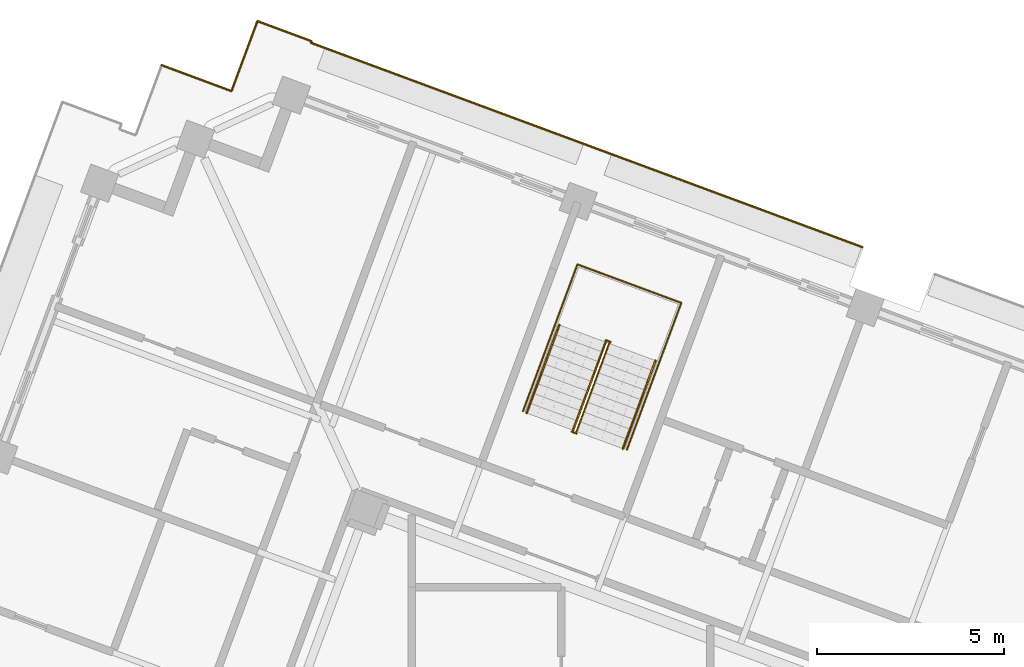
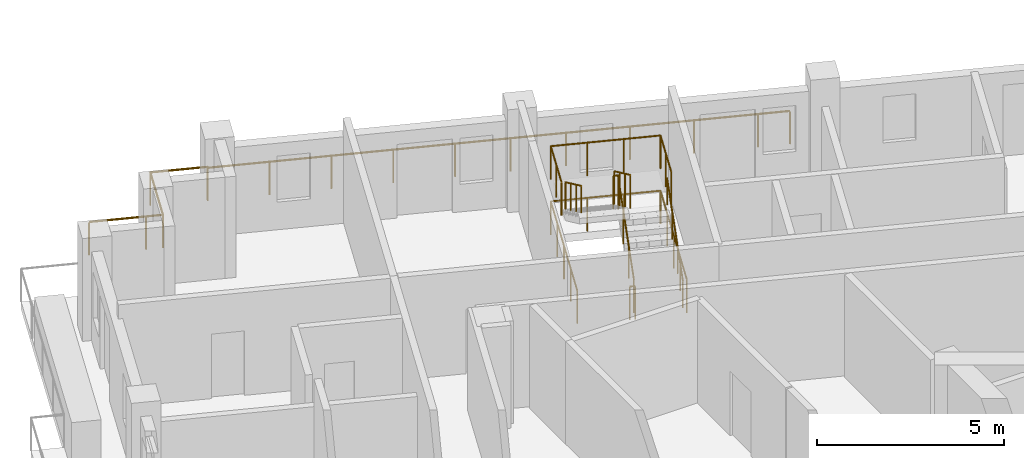
# One storey, part 17 of 19: 8 railings.
"""IFC4 building model written with IfcOpenShell, lengths in metres."""

import ifcopenshell
import ifcopenshell.guid

model = None  # the IFC model being written
_history = None  # IfcOwnerHistory: only IFC2X3 demands one
_inside = {}  # id of a spatial element -> (the spatial element, [elements in it])
_under = {}  # id of a project, library or spatial element -> (it, [spatial elements below it])
_declared = {}  # id of a project -> (the project, [libraries it declares])
_typed = {}  # id of a type object -> (the type object, [elements of that type])
_made_of = {}  # id of a material, layer set ... -> (it, [elements and type objects made of it])


def new_model(schema):
    """Start an empty IFC model of exactly this schema.

    Asked for "IFC4X3", IfcOpenShell would pick the latest addendum, in which some entities
    have other attributes; the version numbers below select the first issue.
    IFC2X3 requires an IfcOwnerHistory on every rooted entity: one is made here for all.
    """
    global model, _history
    if schema == "IFC4X3":
        model = ifcopenshell.file(schema_version=(4, 3, 0, 0))
    else:
        model = ifcopenshell.file(schema=schema)
    _inside.clear()
    _under.clear()
    _declared.clear()
    _typed.clear()
    _made_of.clear()
    _history = None
    if model.schema == "IFC2X3":
        org = make("IfcOrganization", Name="unknown")
        user = make(
            "IfcPersonAndOrganization",
            ThePerson=make("IfcPerson", FamilyName="unknown"),
            TheOrganization=org,
        )
        app = make(
            "IfcApplication",
            ApplicationDeveloper=org,
            Version="unknown",
            ApplicationFullName="unknown",
            ApplicationIdentifier="unknown",
        )
        _history = make(
            "IfcOwnerHistory",
            OwningUser=user,
            OwningApplication=app,
            ChangeAction="ADDED",
            CreationDate=0,
        )
    return model


def make(cls, **values):
    """One entity of the class cls with the attributes given. An attribute that is None is left unset."""
    return model.create_entity(
        cls, **{name: value for name, value in values.items() if value is not None}
    )


def rooted(cls, **values):
    """An entity with a GlobalId (a new one), such as an element, a storey or a relation."""
    return make(cls, GlobalId=ifcopenshell.guid.new(), OwnerHistory=_history, **values)


def si_unit(unit_type, name, prefix=None):
    """IfcSIUnit, for example si_unit("LENGTHUNIT", "METRE", prefix="MILLI")."""
    return make("IfcSIUnit", UnitType=unit_type, Prefix=prefix, Name=name)


def assignment(units):
    """IfcUnitAssignment: the units of a project."""
    return None if units is None else make("IfcUnitAssignment", Units=units)


def point(xyz):
    """IfcCartesianPoint."""
    return None if xyz is None else make("IfcCartesianPoint", Coordinates=xyz)


def direction(xyz):
    """IfcDirection."""
    return None if xyz is None else make("IfcDirection", DirectionRatios=xyz)


def frame(location, z_axis=None, x_axis=None):
    """IfcAxis2Placement3D, a coordinate frame: its origin and axes. An axis left out is left unset."""
    return make(
        "IfcAxis2Placement3D",
        Location=point(location),
        Axis=direction(z_axis),
        RefDirection=direction(x_axis),
    )


def frame_2d(location, x_axis=None):
    """IfcAxis2Placement2D, a coordinate frame in the plane: its origin and x axis."""
    return make(
        "IfcAxis2Placement2D", Location=point(location), RefDirection=direction(x_axis)
    )


def origin():
    """The frame at (0, 0, 0) with its axes left unset."""
    return frame((0.0, 0.0, 0.0))


def origin_2d():
    """The frame at (0, 0) in the plane with its x axis left unset."""
    return frame_2d((0.0, 0.0))


def place(relative_to, where):
    """IfcLocalPlacement: puts the frame where relative to a parent placement (None: the world)."""
    return make(
        "IfcLocalPlacement", PlacementRelTo=relative_to, RelativePlacement=where
    )


def context(
    kind, dimensions, precision=None, world=None, true_north=None, identifier=None
):
    """IfcGeometricRepresentationContext, for example the 3D "Model" context."""
    return make(
        "IfcGeometricRepresentationContext",
        ContextIdentifier=identifier,
        ContextType=kind,
        CoordinateSpaceDimension=dimensions,
        Precision=precision,
        WorldCoordinateSystem=world,
        TrueNorth=true_north,
    )


def subcontext(parent, identifier, kind, view, scale=None):
    """IfcGeometricRepresentationSubContext, for example "Body" below "Model"."""
    return make(
        "IfcGeometricRepresentationSubContext",
        ContextIdentifier=identifier,
        ContextType=kind,
        ParentContext=parent,
        TargetScale=scale,
        TargetView=view,
    )


def project(units=None, contexts=None):
    """IfcProject with its units and contexts."""
    return rooted(
        "IfcProject",
        Name="project",
        RepresentationContexts=contexts,
        UnitsInContext=assignment(units),
    )


def spatial(cls, under=None, at=None, **own):
    """A site, building, storey or space (cls), placed at a placement, below another one or the project."""
    s = rooted(cls, ObjectPlacement=at, **own)
    if under is not None:
        _under.setdefault(under.id(), (under, []))[1].append(s)
    return s


def profile(cls, at=None, kind="AREA", **sizes):
    """A parametric profile (cls). Its sizes go by their IFC names, for example OverallWidth=200.0."""
    return make(cls, ProfileType=kind, Position=at, **sizes)


def circle(**sizes):
    """IfcCircleProfileDef."""
    return profile("IfcCircleProfileDef", **sizes)


def extrude(swept, where, along, depth):
    """IfcExtrudedAreaSolid: the profile swept, set in the frame where, extruded along a direction by depth."""
    return make(
        "IfcExtrudedAreaSolid",
        SweptArea=swept,
        Position=where,
        ExtrudedDirection=direction(along),
        Depth=depth,
    )


def shape(context_of_items, identifier, shape_type, items):
    """IfcShapeRepresentation: the items that make up one representation, for example the "Body"."""
    return make(
        "IfcShapeRepresentation",
        ContextOfItems=context_of_items,
        RepresentationIdentifier=identifier,
        RepresentationType=shape_type,
        Items=items,
    )


def material(Name=None, Category=None):
    """IfcMaterial."""
    return make("IfcMaterial", Name=Name, Category=Category)


def made_of(thing, what):
    """Note that an element or type object is made of a material, layer set ...; save() writes the relation."""
    if what is not None:
        _made_of.setdefault(what.id(), (what, []))[1].append(thing)
    return thing


def type_object(cls, material=None, **own):
    """A type object (cls), such as IfcWallType, which elements share."""
    return made_of(rooted(cls, **own), material)


def element(
    cls,
    number,
    at=None,
    inside=None,
    cuts=None,
    type_object=None,
    material=None,
    context=None,
    identifier="Body",
    shape_type=None,
    held_by="IfcProductDefinitionShape",
    body=None,
    shapes=None,
    **own,
):
    """One element of the class cls, such as IfcWall. Its Tag is "e" and its number.

    at: its placement. inside: the storey or other place that contains it. cuts: it is an
    opening in that element (IfcRelVoidsElement). A single representation is given by context,
    identifier, shape_type and body (its items); several are given by shapes. held_by: the class
    of the entity that holds the representations. save() writes the other relations.
    """
    e = rooted(cls, Tag="e%d" % number, ObjectPlacement=at, **own)
    if body is not None:
        shapes = [shape(context, identifier, shape_type, body)]
    if shapes is not None:
        e.Representation = make(held_by, Representations=shapes)
    if inside is not None:
        _inside.setdefault(inside.id(), (inside, []))[1].append(e)
    if cuts is not None:
        rooted(
            "IfcRelVoidsElement", RelatingBuildingElement=cuts, RelatedOpeningElement=e
        )
    if type_object is not None:
        _typed.setdefault(type_object.id(), (type_object, []))[1].append(e)
    return made_of(e, material)


def aggregate(whole, parts):
    """IfcRelAggregates: a whole, such as a stair, and the parts it consists of."""
    return rooted("IfcRelAggregates", RelatingObject=whole, RelatedObjects=parts)


def save(model, path):
    """Write the relations noted so far, then the file.

    IfcRelAggregates (storeys below a building ...), IfcRelContainedInSpatialStructure (elements
    in a storey), IfcRelDefinesByType, IfcRelAssociatesMaterial and IfcRelDeclares: one each for
    every whole, place, type object, material and project.
    """
    for whole, parts in _under.values():
        aggregate(whole, parts)
    for where, things in _inside.values():
        rooted(
            "IfcRelContainedInSpatialStructure",
            RelatedElements=things,
            RelatingStructure=where,
        )
    for kind, things in _typed.values():
        rooted("IfcRelDefinesByType", RelatedObjects=things, RelatingType=kind)
    for what, things in _made_of.values():
        rooted("IfcRelAssociatesMaterial", RelatedObjects=things, RelatingMaterial=what)
    for by, libraries in _declared.values():
        rooted("IfcRelDeclares", RelatingContext=by, RelatedDefinitions=libraries)
    model.write(path)


model = new_model("IFC4")

# Units and contexts
model_context = context("Model", 3, precision=1e-05, world=origin(), true_north=direction((0.0, 1.0)))
body_context = subcontext(model_context, "Body", "Model", "MODEL_VIEW")
ifc_project = project(units=[si_unit("LENGTHUNIT", "METRE"), si_unit("AREAUNIT", "SQUARE_METRE"), si_unit("VOLUMEUNIT", "CUBIC_METRE"), si_unit("PLANEANGLEUNIT", "RADIAN"), si_unit("MASSUNIT", "GRAM", prefix="KILO")], contexts=[model_context])

# Site, building, storey
site_placement = place(None, origin())
site = spatial("IfcSite", under=ifc_project, at=site_placement, CompositionType="ELEMENT")
building_placement = place(site_placement, origin())
building = spatial("IfcBuilding", under=site, at=building_placement, Name="Cantera Rosa Tower", CompositionType="ELEMENT")
storey_placement = place(building_placement, frame((0.0, 0.0, 334.89990234375)))
storey = spatial("IfcBuildingStorey", under=building, at=storey_placement, Name="L75", CompositionType="ELEMENT", Elevation=334.89990234375)

# Railings
ifc_material_1 = material(Name="Stainless steel and laminated glass", Category="steel")
railing_type_1 = type_object("IfcRailingType", Name="GUARD 1100", PredefinedType="BALUSTRADE", material=ifc_material_1)
railing_1_placement = place(storey_placement, frame((-10.71240234375, 28.49365234375, 0.0)))
element("IfcRailing", 1, at=railing_1_placement, inside=storey, type_object=railing_type_1, Name="GUARD L75-5", PredefinedType="BALUSTRADE", context=body_context, shape_type="SweptSolid", body=[
    extrude(circle(Radius=0.030029296875, at=origin_2d()), frame((0.0, 0.0, 1.070068359375), z_axis=(0.937691592306, -0.347468671564, 0.0), x_axis=(0.347468671564, 0.937691592306, 0.0)), (0.0, 0.0, 1.0), 1.5458984375),
    extrude(circle(Radius=0.030029296875, at=origin_2d()), frame((1.449462890625, -0.537109375, 1.070068359375), z_axis=(0.937625552155, -0.347646837962, 0.0), x_axis=(0.347646837962, 0.937625552155, 0.0)), (0.0, 0.0, 1.0), 0.454345703125),
    extrude(circle(Radius=0.030029296875, at=origin_2d()), frame((1.87548828125, -0.695068359375, 1.070068359375), z_axis=(0.347401818267, 0.937716362588, 0.0), x_axis=(-0.937716362588, 0.347401818267, 0.0)), (0.0, 0.0, 1.0), 2.0),
    extrude(circle(Radius=0.030029296875, at=origin_2d()), frame((2.5703125, 1.180419921875, 1.070068359375), z_axis=(0.937710656911, -0.347417218795, 0.0), x_axis=(0.347417218795, 0.937710656911, 0.0)), (0.0, 0.0, 1.0), 1.5458984375),
    extrude(circle(Radius=0.030029296875, at=origin_2d()), frame((4.02001953125, 0.643310546875, 1.070068359375), z_axis=(-0.351123441588, -0.936329177569, 0.0), x_axis=(0.936329177569, -0.351123441588, 0.0)), (0.0, 0.0, 1.0), 0.0458984375),
    extrude(circle(Radius=0.030029296875, at=origin_2d()), frame((4.00390625, 0.600341796875, 1.070068359375), z_axis=(0.937686328856, -0.347482875373, 0.0), x_axis=(0.347482875373, 0.937686328856, 0.0)), (0.0, 0.0, 1.0), 6.699951171875),
    extrude(circle(Radius=0.030029296875, at=origin_2d()), frame((10.286376953125, -1.727783203125, 1.070068359375), z_axis=(0.93768985062, -0.347473371704, 0.0), x_axis=(0.347473371704, 0.93768985062, 0.0)), (0.0, 0.0, 1.0), 3.000244140625),
    extrude(circle(Radius=0.030029296875, at=origin_2d()), frame((13.099609375, -2.770263671875, 1.070068359375), z_axis=(0.937688147358, -0.347477968085, 0.0), x_axis=(0.347477968085, 0.937688147358, 0.0)), (0.0, 0.0, 1.0), 5.199951171875),
    extrude(circle(Radius=0.030029296875, at=origin_2d()), frame((17.9755859375, -4.5771484375, 1.070068359375), z_axis=(0.937694580373, -0.347460607753, 0.0), x_axis=(0.347460607753, 0.937694580373, 0.0)), (0.0, 0.0, 1.0), 0.869873046875),
    extrude(circle(Radius=0.02490234375, at=origin_2d()), origin(), (0.0, 0.0, 1.0), 1.0400390625),
    extrude(circle(Radius=0.02490234375, at=origin_2d()), frame((1.449462890625, -0.537109375, 0.0)), (0.0, 0.0, 1.0), 1.0400390625),
    extrude(circle(Radius=0.02490234375, at=origin_2d()), frame((1.87548828125, -0.695068359375, 0.0)), (0.0, 0.0, 1.0), 1.0400390625),
    extrude(circle(Radius=0.02490234375, at=origin_2d()), frame((2.5703125, 1.180419921875, 0.0)), (0.0, 0.0, 1.0), 1.0400390625),
    extrude(circle(Radius=0.02490234375, at=origin_2d()), frame((4.02001953125, 0.643310546875, 0.0)), (0.0, 0.0, 1.0), 1.0400390625),
    extrude(circle(Radius=0.02490234375, at=origin_2d()), frame((4.00390625, 0.600341796875, 0.0)), (0.0, 0.0, 1.0), 1.0400390625),
    extrude(circle(Radius=0.02490234375, at=origin_2d()), frame((5.574462890625, 0.018310546875, 0.0)), (0.0, 0.0, 1.0), 1.0400390625),
    extrude(circle(Radius=0.02490234375, at=origin_2d()), frame((7.14501953125, -0.563720703125, 0.0)), (0.0, 0.0, 1.0), 1.0400390625),
    extrude(circle(Radius=0.02490234375, at=origin_2d()), frame((8.7158203125, -1.145751953125, 0.0)), (0.0, 0.0, 1.0), 1.0400390625),
    extrude(circle(Radius=0.02490234375, at=origin_2d()), frame((10.286376953125, -1.727783203125, 0.0)), (0.0, 0.0, 1.0), 1.0400390625),
    extrude(circle(Radius=0.02490234375, at=origin_2d()), frame((11.69287109375, -2.2490234375, 0.0)), (0.0, 0.0, 1.0), 1.0400390625),
    extrude(circle(Radius=0.02490234375, at=origin_2d()), frame((13.099609375, -2.770263671875, 0.0)), (0.0, 0.0, 1.0), 1.0400390625),
    extrude(circle(Radius=0.02490234375, at=origin_2d()), frame((14.724853515625, -3.37255859375, 0.0)), (0.0, 0.0, 1.0), 1.0400390625),
    extrude(circle(Radius=0.02490234375, at=origin_2d()), frame((16.350341796875, -3.974853515625, 0.0)), (0.0, 0.0, 1.0), 1.0400390625),
    extrude(circle(Radius=0.02490234375, at=origin_2d()), frame((17.9755859375, -4.5771484375, 0.0)), (0.0, 0.0, 1.0), 1.0400390625),
    extrude(circle(Radius=0.02490234375, at=origin_2d()), frame((18.791259765625, -4.87939453125, 0.0)), (0.0, 0.0, 1.0), 1.0400390625),
])
ifc_material_2 = material(Name="Steel S355J2 (EN 10025-2)", Category="steel")
railing_type_2 = type_object("IfcRailingType", Name="STAIR GUARD 1100", PredefinedType="GUARDRAIL", material=ifc_material_2)
railing_2_placement = place(storey_placement, frame((0.412109375, 18.670166015625, 0.18017578125)))
element("IfcRailing", 2, at=railing_2_placement, inside=storey, type_object=railing_type_2, Name="L75 ST-62 stair guard 1", PredefinedType="GUARDRAIL", context=body_context, shape_type="SweptSolid", body=[
    extrude(circle(Radius=0.02392578125, at=origin_2d()), frame((0.0, 0.0, 1.076171875), z_axis=(0.292319685639, 0.78878233546, 0.540713998944), x_axis=(-0.937679794265, 0.347500508527, 0.0)), (0.0, 0.0, 1.0), 2.995849609375),
    extrude(circle(Radius=0.02392578125, at=origin_2d()), frame((0.875732421875, 2.363037109375, 2.69580078125), z_axis=(0.740919573429, 0.671593765389, 0.0), x_axis=(-0.671593765389, 0.740919573429, 0.0)), (0.0, 0.0, 1.0), 0.056396484375),
    extrude(circle(Radius=0.02392578125, at=origin_2d()), frame((0.91748046875, 2.40087890625, 2.69580078125), z_axis=(-0.937925419525, 0.346837004095, 0.0), x_axis=(-0.346837004095, -0.937925419525, 0.0)), (0.0, 0.0, 1.0), 0.14990234375),
    extrude(circle(Radius=0.02099609375, at=origin_2d()), origin(), (0.0, 0.0, 1.0), 1.052001953125),
    extrude(circle(Radius=0.02099609375, at=origin_2d()), frame((0.2919921875, 0.78759765625, 0.5400390625)), (0.0, 0.0, 1.0), 1.052001953125),
    extrude(circle(Radius=0.02099609375, at=origin_2d()), frame((0.583740234375, 1.575439453125, 1.079833984375)), (0.0, 0.0, 1.0), 1.052001953125),
    extrude(circle(Radius=0.02099609375, at=origin_2d()), frame((0.875732421875, 2.363037109375, 1.619873046875)), (0.0, 0.0, 1.0), 1.052001953125),
    extrude(circle(Radius=0.02099609375, at=origin_2d()), frame((0.91748046875, 2.40087890625, 1.619873046875)), (0.0, 0.0, 1.0), 1.052001953125),
    extrude(circle(Radius=0.02099609375, at=origin_2d()), frame((0.77685546875, 2.452880859375, 1.619873046875)), (0.0, 0.0, 1.0), 1.052001953125),
])
railing_3_placement = place(storey_placement, frame((1.196044921875, 21.067138671875, 1.97998046875)))
element("IfcRailing", 3, at=railing_3_placement, inside=storey, type_object=railing_type_2, Name="L75 ST-62 stair guard 2", PredefinedType="GUARDRAIL", context=body_context, shape_type="SweptSolid", body=[
    extrude(circle(Radius=0.02392578125, at=origin_2d()), frame((0.0, 0.0, 1.076171875), z_axis=(-0.292306804437, -0.788747577403, 0.540771662738), x_axis=(0.937679794265, -0.347500508527, 0.0)), (0.0, 0.0, 1.0), 2.995849609375),
    extrude(circle(Radius=0.02099609375, at=origin_2d()), origin(), (0.0, 0.0, 1.0), 1.052001953125),
    extrude(circle(Radius=0.02099609375, at=origin_2d()), frame((-0.2919921875, -0.78759765625, 0.5400390625)), (0.0, 0.0, 1.0), 1.052001953125),
    extrude(circle(Radius=0.02099609375, at=origin_2d()), frame((-0.583740234375, -1.575439453125, 1.080078125)), (0.0, 0.0, 1.0), 1.052001953125),
    extrude(circle(Radius=0.02099609375, at=origin_2d()), frame((-0.875732421875, -2.363037109375, 1.6201171875)), (0.0, 0.0, 1.0), 1.052001953125),
])
railing_4_placement = place(storey_placement, frame((0.419189453125, 18.6142578125, 0.0)))
element("IfcRailing", 4, at=railing_4_placement, inside=storey, type_object=railing_type_2, Name="L75 ST-62 stair guard 3", PredefinedType="GUARDRAIL", context=body_context, shape_type="SweptSolid", body=[
    extrude(circle(Radius=0.02392578125, at=origin_2d()), frame((0.0, 0.0, 1.076171875), z_axis=(-0.937925419525, 0.346837004095, 0.0), x_axis=(-0.346837004095, -0.937925419525, 0.0)), (0.0, 0.0, 1.0), 0.14990234375),
    extrude(circle(Radius=0.02099609375, at=origin_2d()), origin(), (0.0, 0.0, 1.0), 1.052001953125),
    extrude(circle(Radius=0.02099609375, at=origin_2d()), frame((-0.140625, 0.052001953125, 0.0)), (0.0, 0.0, 1.0), 1.052001953125),
])
railing_5_placement = place(storey_placement, frame((1.762939453125, 18.182373046875, 0.0)))
element("IfcRailing", 5, at=railing_5_placement, inside=storey, type_object=railing_type_2, Name="L75 ST-62 stair guard 4", PredefinedType="GUARDRAIL", context=body_context, shape_type="SweptSolid", body=[
    extrude(circle(Radius=0.02392578125, at=origin_2d()), frame((0.0, 0.0, 1.076171875), z_axis=(0.347475346394, 0.937689118871, 0.0), x_axis=(-0.937689118871, 0.347475346394, 0.0)), (0.0, 0.0, 1.0), 4.197998046875),
    extrude(circle(Radius=0.02392578125, at=origin_2d()), frame((1.458740234375, 3.9365234375, 1.076171875), z_axis=(-0.937690243436, 0.347472311651, 0.0), x_axis=(-0.347472311651, -0.937690243436, 0.0)), (0.0, 0.0, 1.0), 2.969970703125),
    extrude(circle(Radius=0.02392578125, at=origin_2d()), frame((-1.326171875, 4.968505859375, 1.076171875), z_axis=(-0.347475346394, -0.937689118871, 0.0), x_axis=(0.937689118871, -0.347475346394, 0.0)), (0.0, 0.0, 1.0), 4.197998046875),
    extrude(circle(Radius=0.02099609375, at=origin_2d()), origin(), (0.0, 0.0, 1.0), 1.052001953125),
    extrude(circle(Radius=0.02099609375, at=origin_2d()), frame((0.36474609375, 0.984130859375, 0.0)), (0.0, 0.0, 1.0), 1.052001953125),
    extrude(circle(Radius=0.02099609375, at=origin_2d()), frame((0.7294921875, 1.96826171875, 0.0)), (0.0, 0.0, 1.0), 1.052001953125),
    extrude(circle(Radius=0.02099609375, at=origin_2d()), frame((1.093994140625, 2.952392578125, 0.0)), (0.0, 0.0, 1.0), 1.052001953125),
    extrude(circle(Radius=0.02099609375, at=origin_2d()), frame((1.458740234375, 3.9365234375, 0.0)), (0.0, 0.0, 1.0), 1.052001953125),
    extrude(circle(Radius=0.02099609375, at=origin_2d()), frame((0.530517578125, 4.280517578125, 0.0)), (0.0, 0.0, 1.0), 1.052001953125),
    extrude(circle(Radius=0.02099609375, at=origin_2d()), frame((-0.39794921875, 4.62451171875, 0.0)), (0.0, 0.0, 1.0), 1.052001953125),
    extrude(circle(Radius=0.02099609375, at=origin_2d()), frame((-1.326171875, 4.968505859375, 0.0)), (0.0, 0.0, 1.0), 1.052001953125),
    extrude(circle(Radius=0.02099609375, at=origin_2d()), frame((-1.69091796875, 3.984375, 0.0)), (0.0, 0.0, 1.0), 1.052001953125),
    extrude(circle(Radius=0.02099609375, at=origin_2d()), frame((-2.0556640625, 3.000244140625, 0.0)), (0.0, 0.0, 1.0), 1.052001953125),
    extrude(circle(Radius=0.02099609375, at=origin_2d()), frame((-2.420166015625, 2.01611328125, 0.0)), (0.0, 0.0, 1.0), 1.052001953125),
    extrude(circle(Radius=0.02099609375, at=origin_2d()), frame((-2.784912109375, 1.031982421875, 0.0)), (0.0, 0.0, 1.0), 1.052001953125),
])
railing_6_placement = place(storey_placement, frame((2.630126953125, 20.52294921875, 1.800048828125)))
element("IfcRailing", 6, at=railing_6_placement, inside=storey, type_object=railing_type_2, Name="L75 ST-62 stair guard 5", PredefinedType="GUARDRAIL", context=body_context, shape_type="SweptSolid", body=[
    extrude(circle(Radius=0.02392578125, at=origin_2d()), frame((0.0, 0.0, 1.076171875), z_axis=(0.347552602091, 0.937660486946, 0.0), x_axis=(-0.937660486946, 0.347552602091, 0.0)), (0.0, 0.0, 1.0), 1.7021484375),
    extrude(circle(Radius=0.02392578125, at=origin_2d()), frame((0.591552734375, 1.595947265625, 1.076171875), z_axis=(-0.937690243436, 0.347472311651, 0.0), x_axis=(-0.347472311651, -0.937690243436, 0.0)), (0.0, 0.0, 1.0), 2.969970703125),
    extrude(circle(Radius=0.02392578125, at=origin_2d()), frame((-2.193359375, 2.6279296875, 1.076171875), z_axis=(-0.347552602091, -0.937660486946, 0.0), x_axis=(0.937660486946, -0.347552602091, 0.0)), (0.0, 0.0, 1.0), 1.7021484375),
    extrude(circle(Radius=0.02099609375, at=origin_2d()), origin(), (0.0, 0.0, 1.0), 1.052001953125),
    extrude(circle(Radius=0.02099609375, at=origin_2d()), frame((0.2958984375, 0.7978515625, 0.0)), (0.0, 0.0, 1.0), 1.052001953125),
    extrude(circle(Radius=0.02099609375, at=origin_2d()), frame((0.591552734375, 1.595947265625, 0.0)), (0.0, 0.0, 1.0), 1.052001953125),
    extrude(circle(Radius=0.02099609375, at=origin_2d()), frame((-0.336669921875, 1.93994140625, 0.0)), (0.0, 0.0, 1.0), 1.052001953125),
    extrude(circle(Radius=0.02099609375, at=origin_2d()), frame((-1.26513671875, 2.283935546875, 0.0)), (0.0, 0.0, 1.0), 1.052001953125),
    extrude(circle(Radius=0.02099609375, at=origin_2d()), frame((-2.193359375, 2.6279296875, 0.0)), (0.0, 0.0, 1.0), 1.052001953125),
    extrude(circle(Radius=0.02099609375, at=origin_2d()), frame((-2.4892578125, 1.830078125, 0.0)), (0.0, 0.0, 1.0), 1.052001953125),
    extrude(circle(Radius=0.02099609375, at=origin_2d()), frame((-2.784912109375, 1.031982421875, 0.0)), (0.0, 0.0, 1.0), 1.052001953125),
])
ifc_material_3 = material(Name="Steel S355J2 (EN 10025-2)", Category="steel")
railing_type_3 = type_object("IfcRailingType", Name="STAIR HANDRAIL 900", PredefinedType="HANDRAIL", material=ifc_material_3)
railing_7_placement = place(storey_placement, frame((1.655517578125, 18.20947265625, 0.18017578125)))
element("IfcRailing", 7, at=railing_7_placement, inside=storey, type_object=railing_type_3, Name="L75 ST-62 stair handrail 1", PredefinedType="HANDRAIL", context=body_context, shape_type="SweptSolid", body=[
    extrude(circle(Radius=0.02392578125, at=origin_2d()), frame((0.0, 0.0, 0.8759765625), z_axis=(0.292338477135, 0.788751542156, 0.540748758236), x_axis=(-0.937668094043, 0.347532078253, 0.0)), (0.0, 0.0, 1.0), 2.99560546875),
    extrude(circle(Radius=0.02099609375, at=origin_2d()), origin(), (0.0, 0.0, 1.0), 0.851806640625),
    extrude(circle(Radius=0.02099609375, at=origin_2d()), frame((0.2919921875, 0.78759765625, 0.5400390625)), (0.0, 0.0, 1.0), 0.851806640625),
    extrude(circle(Radius=0.02099609375, at=origin_2d()), frame((0.583740234375, 1.5751953125, 1.079833984375)), (0.0, 0.0, 1.0), 0.851806640625),
    extrude(circle(Radius=0.02099609375, at=origin_2d()), frame((0.875732421875, 2.36279296875, 1.619873046875)), (0.0, 0.0, 1.0), 0.851806640625),
])
railing_8_placement = place(storey_placement, frame((-0.04736328125, 21.52783203125, 1.97998046875)))
element("IfcRailing", 8, at=railing_8_placement, inside=storey, type_object=railing_type_3, Name="L75 ST-62 stair handrail 2", PredefinedType="HANDRAIL", context=body_context, shape_type="SweptSolid", body=[
    extrude(circle(Radius=0.02392578125, at=origin_2d()), frame((0.0, 0.0, 0.8759765625), z_axis=(-0.292325593449, -0.788716780987, 0.540806422673), x_axis=(0.937668094043, -0.347532078253, 0.0)), (0.0, 0.0, 1.0), 2.995849609375),
    extrude(circle(Radius=0.02099609375, at=origin_2d()), origin(), (0.0, 0.0, 1.0), 0.851806640625),
    extrude(circle(Radius=0.02099609375, at=origin_2d()), frame((-0.2919921875, -0.78759765625, 0.5400390625)), (0.0, 0.0, 1.0), 0.851806640625),
    extrude(circle(Radius=0.02099609375, at=origin_2d()), frame((-0.583740234375, -1.5751953125, 1.080078125)), (0.0, 0.0, 1.0), 0.851806640625),
    extrude(circle(Radius=0.02099609375, at=origin_2d()), frame((-0.875732421875, -2.36279296875, 1.6201171875)), (0.0, 0.0, 1.0), 0.851806640625),
])

save(model, "model.ifc")
